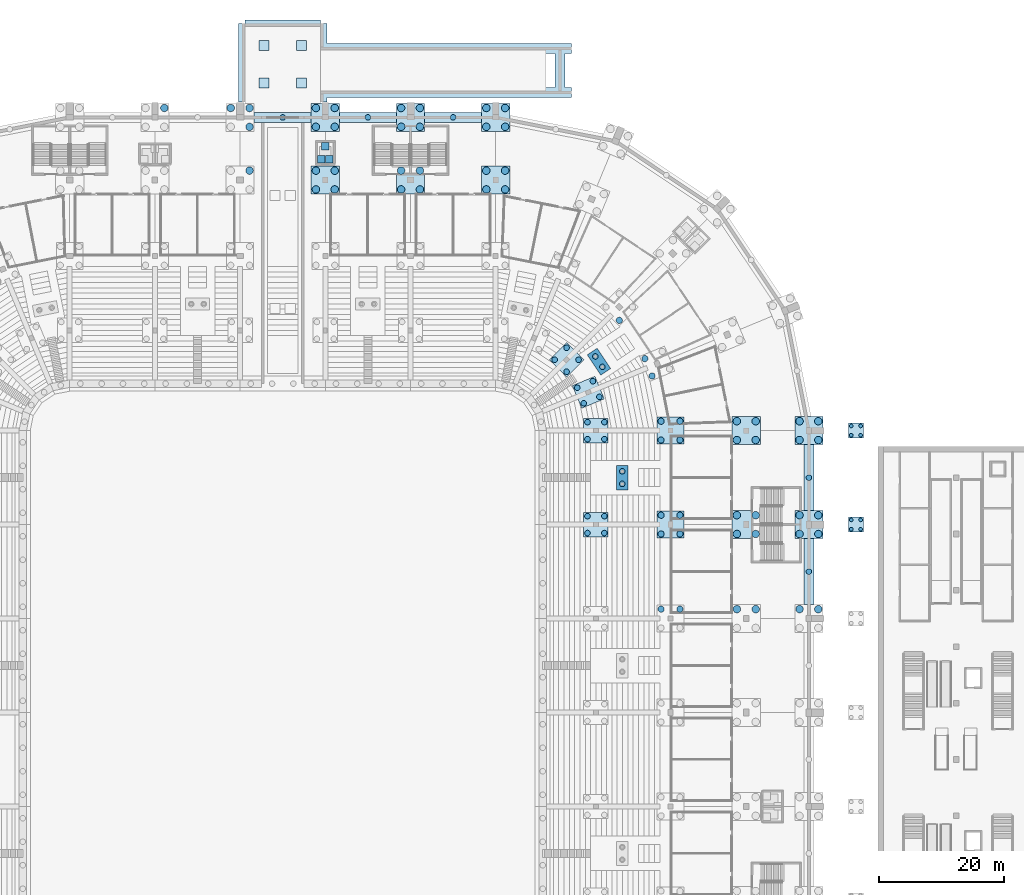
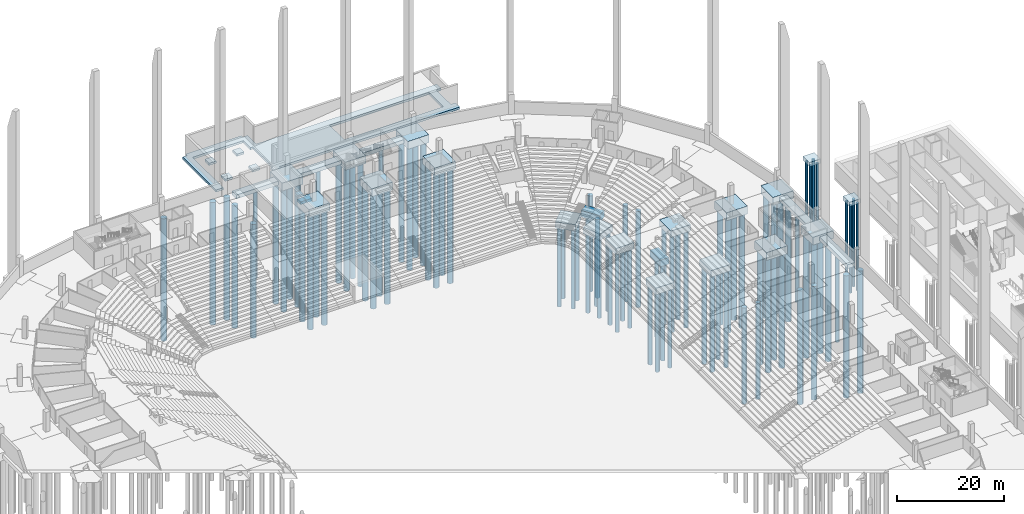
# One storey, part 8 of 115: 95 piles, 33 footings.
"""IFC4 building model written with IfcOpenShell, lengths in metres."""

from ifc_helpers import new_model, si_unit, direction, frame, origin, origin_2d, place, context, subcontext, project, spatial, polyline, rectangle, circle, outline, extrude, material, layer, layer_set, material_profile, profile_set, type_object, element, save


model = new_model("IFC4")

# Units and contexts
model_context = context("Model", 3, precision=1e-05, world=origin(), true_north=direction((0.0, 1.0)))
body_context = subcontext(model_context, "Body", "Model", "MODEL_VIEW")
ifc_project = project(units=[si_unit("LENGTHUNIT", "METRE"), si_unit("AREAUNIT", "SQUARE_METRE"), si_unit("VOLUMEUNIT", "CUBIC_METRE"), si_unit("PLANEANGLEUNIT", "RADIAN"), si_unit("MASSUNIT", "GRAM", prefix="KILO")], contexts=[model_context])

# Site, building, storey
site_placement = place(None, origin())
site = spatial("IfcSite", under=ifc_project, at=site_placement, CompositionType="ELEMENT")
building_placement = place(site_placement, origin())
building = spatial("IfcBuilding", under=site, at=building_placement, Name="Ogive Plaza Stadium", CompositionType="ELEMENT")
storey_placement = place(building_placement, frame((0.0, 0.0, -4.5)))
storey = spatial("IfcBuildingStorey", under=building, at=storey_placement, Name="B1", CompositionType="ELEMENT", Elevation=-4.5)

# Piles
ifc_material_1 = material(Name="Concrete C40/50", Category="concrete")
ifc_material_profile_1 = material_profile(ifc_material_1, circle(Radius=0.5, at=origin_2d()), Name="RC D1000")
ifc_profile_set_1 = profile_set([ifc_material_profile_1], Name="Concrete C40/50")
pile_type_1 = type_object("IfcPileType", Name="Bored pile D1000", PredefinedType="BORED", material=ifc_profile_set_1)
for number, where, z_axis, x_axis, name in (
    (1, (60.39990234375, 51.0, -1.5), (0.0, 0.0, -1.0), (1.0, 0.0, 0.0), "Bored pile F3:R01 1"),
    (2, (60.39990234375, 54.0, -1.5), (0.0, 0.0, -1.0), (1.0, 0.0, 0.0), "Bored pile F3:R01 2"),
    (3, (63.39990234375, 51.0, -1.5), (0.0, 0.0, -1.0), (1.0, 0.0, 0.0), "Bored pile F3:R01 3"),
    (4, (63.39990234375, 54.0, -1.5), (0.0, 0.0, -1.0), (1.0, 0.0, 0.0), "Bored pile F3:R01 4"),
    (5, (60.39990234375, 36.0, -1.5), (0.0, 0.0, -1.0), (1.0, 0.0, 0.0), "Bored pile F3:R02 1"),
    (6, (60.39990234375, 39.0, -1.5), (0.0, 0.0, -1.0), (1.0, 0.0, 0.0), "Bored pile F3:R02 2"),
    (7, (63.39990234375, 36.0, -1.5), (0.0, 0.0, -1.0), (1.0, 0.0, 0.0), "Bored pile F3:R02 3"),
    (8, (63.39990234375, 39.0, -1.5), (0.0, 0.0, -1.0), (1.0, 0.0, 0.0), "Bored pile F3:R02 4"),
    (9, (60.39990234375, 24.0, -1.5), (0.0, 0.0, -1.0), (1.0, 0.0, 0.0), "Bored pile F3:R03 2"),
    (10, (63.39990234375, 24.0, -1.5), (0.0, 0.0, -1.0), (1.0, 0.0, 0.0), "Bored pile F3:R03 4"),
    (11, (53.728271484375, 70.10693359375, -1.5), (0.0, 0.0, -1.0), (1.0, 0.0, 0.0), "Bored pile F3:R39 1"),
    (12, (58.96435546875, 61.217041015625, -1.5), (0.0, 0.0, -1.0), (1.0, 0.0, 0.0), "Bored pile F3:R40 1"),
    (13, (57.81640625, 63.98876953125, -1.5), (0.0, 0.0, -1.0), (1.0, 0.0, 0.0), "Bored pile F3:R40 2"),
):
    element("IfcPile", number, at=place(storey_placement, frame(where, z_axis=z_axis, x_axis=x_axis)), inside=storey, type_object=pile_type_1, Name=name, PredefinedType="BORED", context=body_context, shape_type="SweptSolid", body=[
        extrude(circle(Radius=0.5, at=origin_2d()), origin(), (0.0, 0.0, 1.0), 22.0),
    ])
ifc_material_2 = material(Name="Concrete C40/50", Category="concrete")
ifc_material_profile_2 = material_profile(ifc_material_2, circle(Radius=0.60009765625, at=origin_2d()), Name="RC D1200")
ifc_profile_set_2 = profile_set([ifc_material_profile_2], Name="Concrete C40/50")
pile_type_2 = type_object("IfcPileType", Name="Bored pile D1200", PredefinedType="BORED", material=ifc_profile_set_2)
for number, where, z_axis, x_axis, name in (
    (14, (72.5, 51.0, -1.800048828125), (0.0, 0.0, -1.0), (1.0, 0.0, 0.0), "Bored pile F4:R01 1"),
    (15, (72.5, 54.0, -1.800048828125), (0.0, 0.0, -1.0), (1.0, 0.0, 0.0), "Bored pile F4:R01 2"),
    (16, (75.5, 51.0, -1.800048828125), (0.0, 0.0, -1.0), (1.0, 0.0, 0.0), "Bored pile F4:R01 3"),
    (17, (75.5, 54.0, -1.800048828125), (0.0, 0.0, -1.0), (1.0, 0.0, 0.0), "Bored pile F4:R01 4"),
):
    element("IfcPile", number, at=place(storey_placement, frame(where, z_axis=z_axis, x_axis=x_axis)), inside=storey, type_object=pile_type_2, Name=name, PredefinedType="BORED", context=body_context, shape_type="SweptSolid", body=[
        extrude(circle(Radius=0.60009765625, at=origin_2d()), origin(), (0.0, 0.0, 1.0), 26.0),
    ])
for number, where, z_axis, x_axis, name in (
    (18, (82.5, 51.0, -1.800048828125), (0.0, 0.0, -1.0), (1.0, 0.0, 0.0), "Bored pile F5:R01 1"),
    (19, (82.5, 54.0, -1.800048828125), (0.0, 0.0, -1.0), (1.0, 0.0, 0.0), "Bored pile F5:R01 2"),
    (20, (85.5, 51.0, -1.800048828125), (0.0, 0.0, -1.0), (1.0, 0.0, 0.0), "Bored pile F5:R01 3"),
    (21, (85.5, 54.0, -1.800048828125), (0.0, 0.0, -1.0), (1.0, 0.0, 0.0), "Bored pile F5:R01 4"),
):
    element("IfcPile", number, at=place(storey_placement, frame(where, z_axis=z_axis, x_axis=x_axis)), inside=storey, type_object=pile_type_2, Name=name, PredefinedType="BORED", context=body_context, shape_type="SweptSolid", body=[
        extrude(circle(Radius=0.60009765625, at=origin_2d()), origin(), (0.0, 0.0, 1.0), 28.0),
    ])
for number, where, z_axis, x_axis, name in (
    (22, (72.5, 36.0, -1.800048828125), (0.0, 0.0, -1.0), (1.0, 0.0, 0.0), "Bored pile F4:R02 1"),
    (23, (72.5, 39.0, -1.800048828125), (0.0, 0.0, -1.0), (1.0, 0.0, 0.0), "Bored pile F4:R02 2"),
    (24, (75.5, 36.0, -1.800048828125), (0.0, 0.0, -1.0), (1.0, 0.0, 0.0), "Bored pile F4:R02 3"),
    (25, (75.5, 39.0, -1.800048828125), (0.0, 0.0, -1.0), (1.0, 0.0, 0.0), "Bored pile F4:R02 4"),
):
    element("IfcPile", number, at=place(storey_placement, frame(where, z_axis=z_axis, x_axis=x_axis)), inside=storey, type_object=pile_type_2, Name=name, PredefinedType="BORED", context=body_context, shape_type="SweptSolid", body=[
        extrude(circle(Radius=0.60009765625, at=origin_2d()), origin(), (0.0, 0.0, 1.0), 26.0),
    ])
for number, where, z_axis, x_axis, name in (
    (26, (82.5, 36.0, -1.800048828125), (0.0, 0.0, -1.0), (1.0, 0.0, 0.0), "Bored pile F5:R02 1"),
    (27, (82.5, 39.0, -1.800048828125), (0.0, 0.0, -1.0), (1.0, 0.0, 0.0), "Bored pile F5:R02 2"),
    (28, (85.5, 36.0, -1.800048828125), (0.0, 0.0, -1.0), (1.0, 0.0, 0.0), "Bored pile F5:R02 3"),
    (29, (85.5, 39.0, -1.800048828125), (0.0, 0.0, -1.0), (1.0, 0.0, 0.0), "Bored pile F5:R02 4"),
):
    element("IfcPile", number, at=place(storey_placement, frame(where, z_axis=z_axis, x_axis=x_axis)), inside=storey, type_object=pile_type_2, Name=name, PredefinedType="BORED", context=body_context, shape_type="SweptSolid", body=[
        extrude(circle(Radius=0.60009765625, at=origin_2d()), origin(), (0.0, 0.0, 1.0), 28.0),
    ])
for number, where, z_axis, x_axis, name in (
    (30, (72.5, 24.0, -1.800048828125), (0.0, 0.0, -1.0), (1.0, 0.0, 0.0), "Bored pile F4:R03 2"),
    (31, (75.5, 24.0, -1.800048828125), (0.0, 0.0, -1.0), (1.0, 0.0, 0.0), "Bored pile F4:R03 4"),
):
    element("IfcPile", number, at=place(storey_placement, frame(where, z_axis=z_axis, x_axis=x_axis)), inside=storey, type_object=pile_type_2, Name=name, PredefinedType="BORED", context=body_context, shape_type="SweptSolid", body=[
        extrude(circle(Radius=0.60009765625, at=origin_2d()), origin(), (0.0, 0.0, 1.0), 26.0),
    ])
for number, where, z_axis, x_axis, name in (
    (32, (82.5, 24.0, -1.800048828125), (0.0, 0.0, -1.0), (1.0, 0.0, 0.0), "Bored pile F5:R03 2"),
    (33, (85.5, 24.0, -1.800048828125), (0.0, 0.0, -1.0), (1.0, 0.0, 0.0), "Bored pile F5:R03 4"),
    (34, (-18.89990234375, 104.0, -1.800048828125), (0.0, 0.0, -1.0), (1.0, 0.0, 0.0), "Bored pile F5:R33 3"),
):
    element("IfcPile", number, at=place(storey_placement, frame(where, z_axis=z_axis, x_axis=x_axis)), inside=storey, type_object=pile_type_2, Name=name, PredefinedType="BORED", context=body_context, shape_type="SweptSolid", body=[
        extrude(circle(Radius=0.60009765625, at=origin_2d()), origin(), (0.0, 0.0, 1.0), 28.0),
    ])
pile_placement = place(storey_placement, frame((-5.300048828125, 94.0, -1.800048828125), z_axis=(0.0, 0.0, -1.0), x_axis=(1.0, 0.0, 0.0)))
element("IfcPile", 35, at=pile_placement, inside=storey, type_object=pile_type_2, Name="Bored pile F4:R34 3", PredefinedType="BORED", context=body_context, shape_type="SweptSolid", body=[
    extrude(circle(Radius=0.60009765625, at=origin_2d()), origin(), (0.0, 0.0, 1.0), 26.0),
])
for number, where, z_axis, x_axis, name in (
    (36, (-5.300048828125, 101.0, -1.800048828125), (0.0, 0.0, -1.0), (1.0, 0.0, 0.0), "Bored pile F5:R34 1"),
    (37, (-5.300048828125, 104.0, -1.800048828125), (0.0, 0.0, -1.0), (1.0, 0.0, 0.0), "Bored pile F5:R34 3"),
    (38, (-8.300048828125, 104.0, -1.800048828125), (0.0, 0.0, -1.0), (1.0, 0.0, 0.0), "Bored pile F5:R34 4"),
):
    element("IfcPile", number, at=place(storey_placement, frame(where, z_axis=z_axis, x_axis=x_axis)), inside=storey, type_object=pile_type_2, Name=name, PredefinedType="BORED", context=body_context, shape_type="SweptSolid", body=[
        extrude(circle(Radius=0.60009765625, at=origin_2d()), origin(), (0.0, 0.0, 1.0), 28.0),
    ])
for number, where, z_axis, x_axis, name in (
    (39, (8.300048828125, 91.0, -1.800048828125), (0.0, 0.0, -1.0), (1.0, 0.0, 0.0), "Bored pile F4:R35 1"),
    (40, (5.300048828125, 91.0, -1.800048828125), (0.0, 0.0, -1.0), (1.0, 0.0, 0.0), "Bored pile F4:R35 2"),
    (41, (8.300048828125, 94.0, -1.800048828125), (0.0, 0.0, -1.0), (1.0, 0.0, 0.0), "Bored pile F4:R35 3"),
    (42, (5.300048828125, 94.0, -1.800048828125), (0.0, 0.0, -1.0), (1.0, 0.0, 0.0), "Bored pile F4:R35 4"),
):
    element("IfcPile", number, at=place(storey_placement, frame(where, z_axis=z_axis, x_axis=x_axis)), inside=storey, type_object=pile_type_2, Name=name, PredefinedType="BORED", context=body_context, shape_type="SweptSolid", body=[
        extrude(circle(Radius=0.60009765625, at=origin_2d()), origin(), (0.0, 0.0, 1.0), 26.0),
    ])
for number, where, z_axis, x_axis, name in (
    (43, (8.300048828125, 101.0, -1.800048828125), (0.0, 0.0, -1.0), (1.0, 0.0, 0.0), "Bored pile F5:R35 1"),
    (44, (5.300048828125, 101.0, -1.800048828125), (0.0, 0.0, -1.0), (1.0, 0.0, 0.0), "Bored pile F5:R35 2"),
    (45, (8.300048828125, 104.0, -1.800048828125), (0.0, 0.0, -1.0), (1.0, 0.0, 0.0), "Bored pile F5:R35 3"),
    (46, (5.300048828125, 104.0, -1.800048828125), (0.0, 0.0, -1.0), (1.0, 0.0, 0.0), "Bored pile F5:R35 4"),
):
    element("IfcPile", number, at=place(storey_placement, frame(where, z_axis=z_axis, x_axis=x_axis)), inside=storey, type_object=pile_type_2, Name=name, PredefinedType="BORED", context=body_context, shape_type="SweptSolid", body=[
        extrude(circle(Radius=0.60009765625, at=origin_2d()), origin(), (0.0, 0.0, 1.0), 28.0),
    ])
for number, where, z_axis, x_axis, name in (
    (47, (21.89990234375, 91.0, -1.800048828125), (0.0, 0.0, -1.0), (1.0, 0.0, 0.0), "Bored pile F4:R36 1"),
    (48, (18.89990234375, 91.0, -1.800048828125), (0.0, 0.0, -1.0), (1.0, 0.0, 0.0), "Bored pile F4:R36 2"),
    (49, (21.89990234375, 94.0, -1.800048828125), (0.0, 0.0, -1.0), (1.0, 0.0, 0.0), "Bored pile F4:R36 3"),
    (50, (18.89990234375, 94.0, -1.800048828125), (0.0, 0.0, -1.0), (1.0, 0.0, 0.0), "Bored pile F4:R36 4"),
):
    element("IfcPile", number, at=place(storey_placement, frame(where, z_axis=z_axis, x_axis=x_axis)), inside=storey, type_object=pile_type_2, Name=name, PredefinedType="BORED", context=body_context, shape_type="SweptSolid", body=[
        extrude(circle(Radius=0.60009765625, at=origin_2d()), origin(), (0.0, 0.0, 1.0), 26.0),
    ])
for number, where, z_axis, x_axis, name in (
    (51, (21.89990234375, 101.0, -1.800048828125), (0.0, 0.0, -1.0), (1.0, 0.0, 0.0), "Bored pile F5:R36 1"),
    (52, (18.89990234375, 101.0, -1.800048828125), (0.0, 0.0, -1.0), (1.0, 0.0, 0.0), "Bored pile F5:R36 2"),
    (53, (21.89990234375, 104.0, -1.800048828125), (0.0, 0.0, -1.0), (1.0, 0.0, 0.0), "Bored pile F5:R36 3"),
    (54, (18.89990234375, 104.0, -1.800048828125), (0.0, 0.0, -1.0), (1.0, 0.0, 0.0), "Bored pile F5:R36 4"),
):
    element("IfcPile", number, at=place(storey_placement, frame(where, z_axis=z_axis, x_axis=x_axis)), inside=storey, type_object=pile_type_2, Name=name, PredefinedType="BORED", context=body_context, shape_type="SweptSolid", body=[
        extrude(circle(Radius=0.60009765625, at=origin_2d()), origin(), (0.0, 0.0, 1.0), 28.0),
    ])
for number, where, z_axis, x_axis, name in (
    (55, (35.5, 91.0, -1.800048828125), (0.0, 0.0, -1.0), (1.0, 0.0, 0.0), "Bored pile F4:R37 1"),
    (56, (32.5, 91.0, -1.800048828125), (0.0, 0.0, -1.0), (1.0, 0.0, 0.0), "Bored pile F4:R37 2"),
    (57, (35.5, 94.0, -1.800048828125), (0.0, 0.0, -1.0), (1.0, 0.0, 0.0), "Bored pile F4:R37 3"),
    (58, (32.5, 94.0, -1.800048828125), (0.0, 0.0, -1.0), (1.0, 0.0, 0.0), "Bored pile F4:R37 4"),
):
    element("IfcPile", number, at=place(storey_placement, frame(where, z_axis=z_axis, x_axis=x_axis)), inside=storey, type_object=pile_type_2, Name=name, PredefinedType="BORED", context=body_context, shape_type="SweptSolid", body=[
        extrude(circle(Radius=0.60009765625, at=origin_2d()), origin(), (0.0, 0.0, 1.0), 26.0),
    ])
for number, where, z_axis, x_axis, name in (
    (59, (35.5, 101.0, -1.800048828125), (0.0, 0.0, -1.0), (1.0, 0.0, 0.0), "Bored pile F5:R37 1"),
    (60, (32.5, 101.0, -1.800048828125), (0.0, 0.0, -1.0), (1.0, 0.0, 0.0), "Bored pile F5:R37 2"),
    (61, (35.5, 104.0, -1.800048828125), (0.0, 0.0, -1.0), (1.0, 0.0, 0.0), "Bored pile F5:R37 3"),
    (62, (32.5, 104.0, -1.800048828125), (0.0, 0.0, -1.0), (1.0, 0.0, 0.0), "Bored pile F5:R37 4"),
):
    element("IfcPile", number, at=place(storey_placement, frame(where, z_axis=z_axis, x_axis=x_axis)), inside=storey, type_object=pile_type_2, Name=name, PredefinedType="BORED", context=body_context, shape_type="SweptSolid", body=[
        extrude(circle(Radius=0.60009765625, at=origin_2d()), origin(), (0.0, 0.0, 1.0), 28.0),
    ])
ifc_material_3 = material(Name="Concrete C40/50", Category="concrete")
ifc_material_profile_3 = material_profile(ifc_material_3, circle(Radius=0.300048828125, at=origin_2d()), Name="RC D600")
ifc_profile_set_3 = profile_set([ifc_material_profile_3], Name="Concrete C40/50")
pile_type_3 = type_object("IfcPileType", Name="Bored pile D600", PredefinedType="BORED", material=ifc_profile_set_3)
for number, where, z_axis, x_axis, name in (
    (63, (90.75, 51.75, 3.3798828125), (0.0, 0.0, -1.0), (1.0, 0.0, 0.0), "Bored pile colonnade 01 1"),
    (64, (90.75, 53.25, 3.3798828125), (0.0, 0.0, -1.0), (1.0, 0.0, 0.0), "Bored pile colonnade 01 2"),
    (65, (92.25, 51.75, 3.3798828125), (0.0, 0.0, -1.0), (1.0, 0.0, 0.0), "Bored pile colonnade 01 3"),
    (66, (92.25, 53.25, 3.3798828125), (0.0, 0.0, -1.0), (1.0, 0.0, 0.0), "Bored pile colonnade 01 4"),
    (67, (90.75, 36.75, 3.3798828125), (0.0, 0.0, -1.0), (1.0, 0.0, 0.0), "Bored pile colonnade 02 1"),
    (68, (90.75, 38.25, 3.3798828125), (0.0, 0.0, -1.0), (1.0, 0.0, 0.0), "Bored pile colonnade 02 2"),
    (69, (92.25, 36.75, 3.3798828125), (0.0, 0.0, -1.0), (1.0, 0.0, 0.0), "Bored pile colonnade 02 3"),
    (70, (92.25, 38.25, 3.3798828125), (0.0, 0.0, -1.0), (1.0, 0.0, 0.0), "Bored pile colonnade 02 4"),
):
    element("IfcPile", number, at=place(storey_placement, frame(where, z_axis=z_axis, x_axis=x_axis)), inside=storey, type_object=pile_type_3, Name=name, PredefinedType="BORED", context=body_context, shape_type="SweptSolid", body=[
        extrude(circle(Radius=0.300048828125, at=origin_2d()), origin(), (0.0, 0.0, 1.0), 20.0),
    ])
ifc_material_4 = material(Name="Concrete C40/50", Category="concrete")
ifc_material_profile_4 = material_profile(ifc_material_4, circle(Radius=0.449951171875, at=origin_2d()), Name="RC D900")
ifc_profile_set_4 = profile_set([ifc_material_profile_4], Name="Concrete C40/50")
pile_type_4 = type_object("IfcPileType", Name="Bored pile D900", PredefinedType="BORED", material=ifc_profile_set_4)
for number, where, z_axis, x_axis, name in (
    (71, (48.64990234375, 51.14990234375, -1.5), (0.0, 0.0, -1.0), (1.0, 0.0, 0.0), "Bored pile F1:R01 1"),
    (72, (48.64990234375, 53.85009765625, -1.5), (0.0, 0.0, -1.0), (1.0, 0.0, 0.0), "Bored pile F1:R01 2"),
    (73, (51.35009765625, 51.14990234375, -1.5), (0.0, 0.0, -1.0), (1.0, 0.0, 0.0), "Bored pile F1:R01 3"),
    (74, (51.35009765625, 53.85009765625, -1.5), (0.0, 0.0, -1.0), (1.0, 0.0, 0.0), "Bored pile F1:R01 4"),
    (75, (48.64990234375, 36.14990234375, -1.5), (0.0, 0.0, -1.0), (1.0, 0.0, 0.0), "Bored pile F1:R02 1"),
    (76, (48.64990234375, 38.85009765625, -1.5), (0.0, 0.0, -1.0), (1.0, 0.0, 0.0), "Bored pile F1:R02 2"),
    (77, (51.35009765625, 36.14990234375, -1.5), (0.0, 0.0, -1.0), (1.0, 0.0, 0.0), "Bored pile F1:R02 3"),
    (78, (51.35009765625, 38.85009765625, -1.5), (0.0, 0.0, -1.0), (1.0, 0.0, 0.0), "Bored pile F1:R02 4"),
    (79, (45.313720703125, 61.904541015625, -1.5), (0.0, 0.0, -1.0), (1.0, 0.0, 0.0), "Bored pile F1:R39 1"),
    (80, (43.404541015625, 63.813720703125, -1.5), (0.0, 0.0, -1.0), (1.0, 0.0, 0.0), "Bored pile F1:R39 2"),
    (81, (47.222900390625, 63.813720703125, -1.5), (0.0, 0.0, -1.0), (1.0, 0.0, 0.0), "Bored pile F1:R39 3"),
    (82, (45.313720703125, 65.722900390625, -1.5), (0.0, 0.0, -1.0), (1.0, 0.0, 0.0), "Bored pile F1:R39 4"),
    (83, (48.051513671875, 56.859130859375, -1.5), (0.0, 0.0, -1.0), (1.0, 0.0, 0.0), "Bored pile F1:R40 1"),
    (84, (47.018310546875, 59.353515625, -1.5), (0.0, 0.0, -1.0), (1.0, 0.0, 0.0), "Bored pile F1:R40 2"),
    (85, (50.5458984375, 57.892333984375, -1.5), (0.0, 0.0, -1.0), (1.0, 0.0, 0.0), "Bored pile F1:R40 3"),
    (86, (49.5126953125, 60.38671875, -1.5), (0.0, 0.0, -1.0), (1.0, 0.0, 0.0), "Bored pile F1:R40 4"),
):
    element("IfcPile", number, at=place(storey_placement, frame(where, z_axis=z_axis, x_axis=x_axis)), inside=storey, type_object=pile_type_4, Name=name, PredefinedType="BORED", context=body_context, shape_type="SweptSolid", body=[
        extrude(circle(Radius=0.449951171875, at=origin_2d()), origin(), (0.0, 0.0, 1.0), 18.0),
    ])
for number, where, z_axis, x_axis, name in (
    (87, (84.0, 45.0, -1.300048828125), (0.0, 0.0, -1.0), (1.0, 0.0, 0.0), "Bored pile RET:B01 1"),
    (88, (84.0, 30.0, -1.300048828125), (0.0, 0.0, -1.0), (1.0, 0.0, 0.0), "Bored pile RET:B02 1"),
    (89, (0.0, 102.5, -1.300048828125), (0.0, 0.0, -1.0), (1.0, 0.0, 0.0), "Bored pile RET:B34 1"),
    (90, (13.60009765625, 102.5, -1.300048828125), (0.0, 0.0, -1.0), (1.0, 0.0, 0.0), "Bored pile RET:B35 1"),
    (91, (27.199951171875, 102.5, -1.300048828125), (0.0, 0.0, -1.0), (1.0, 0.0, 0.0), "Bored pile RET:B36 1"),
):
    element("IfcPile", number, at=place(storey_placement, frame(where, z_axis=z_axis, x_axis=x_axis)), inside=storey, type_object=pile_type_4, Name=name, PredefinedType="BORED", context=body_context, shape_type="SweptSolid", body=[
        extrude(circle(Radius=0.449951171875, at=origin_2d()), origin(), (0.0, 0.0, 1.0), 20.0),
    ])
for number, where, z_axis, x_axis, name in (
    (92, (54.199951171875, 44.0, -1.5), (0.0, 0.0, -1.0), (1.0, 0.0, 0.0), "Bored pile F1V:B01 1"),
    (93, (54.199951171875, 46.0, -1.5), (0.0, 0.0, -1.0), (1.0, 0.0, 0.0), "Bored pile F1V:B01 2"),
    (94, (51.028564453125, 62.67529296875, -1.5), (0.0, 0.0, -1.0), (1.0, 0.0, 0.0), "Bored pile F1V:B39 1"),
    (95, (49.91748046875, 64.33837890625, -1.5), (0.0, 0.0, -1.0), (1.0, 0.0, 0.0), "Bored pile F1V:B39 2"),
):
    element("IfcPile", number, at=place(storey_placement, frame(where, z_axis=z_axis, x_axis=x_axis)), inside=storey, type_object=pile_type_4, Name=name, PredefinedType="BORED", context=body_context, shape_type="SweptSolid", body=[
        extrude(circle(Radius=0.449951171875, at=origin_2d()), origin(), (0.0, 0.0, 1.0), 18.0),
    ])

# Footings
ifc_material_5 = material(Name="Concrete C40/50", Category="concrete")
ifc_layer_1 = layer(ifc_material_5, 1.0)
ifc_layer_set_1 = layer_set([ifc_layer_1], Name="Concrete C40/50")
footing_type_1 = type_object("IfcFootingType", Name="Colonnade pile cap 2400x1000", PredefinedType="PILE_CAP", material=ifc_layer_set_1)
for number, where, z_axis, x_axis, name in (
    (96, (91.5, 52.5, 3.3798828125), (0.0, 0.0, 1.0), (1.0, 0.0, 0.0), "Colonnade pile cap R01"),
    (97, (91.5, 37.5, 3.3798828125), (0.0, 0.0, 1.0), (1.0, 0.0, 0.0), "Colonnade pile cap R02"),
):
    element("IfcFooting", number, at=place(storey_placement, frame(where, z_axis=z_axis, x_axis=x_axis)), inside=storey, type_object=footing_type_1, Name=name, PredefinedType="PILE_CAP", context=body_context, shape_type="SweptSolid", body=[
        extrude(rectangle(XDim=2.39990234375, YDim=2.39990234375, at=origin_2d()), origin(), (0.0, 0.0, 1.0), 1.0),
    ])
ifc_material_6 = material(Name="Concrete C40/50", Category="concrete")
ifc_layer_2 = layer(ifc_material_6, 0.60009765625)
ifc_layer_set_2 = layer_set([ifc_layer_2], Name="Concrete C40/50")
footing_type_2 = type_object("IfcFootingType", Name="Lift pit pad 1200x1200", PredefinedType="PAD_FOOTING", material=ifc_layer_set_2)
for number, where, z_axis, x_axis, name in (
    (98, (7.449951171875, 95.800048828125, -2.2099609375), (0.0, 0.0, 1.0), (0.0, 1.0, 0.0), "Lift pit pad LS35"),
    (99, (6.14990234375, 95.800048828125, -2.2099609375), (0.0, 0.0, 1.0), (0.0, 1.0, 0.0), "Lift pit pad LS35"),
    (100, (6.800048828125, 97.89990234375, -2.2099609375), (0.0, 0.0, 1.0), (0.0, 1.0, 0.0), "Lift pit pad LS35"),
):
    element("IfcFooting", number, at=place(storey_placement, frame(where, z_axis=z_axis, x_axis=x_axis)), inside=storey, type_object=footing_type_2, Name=name, PredefinedType="PAD_FOOTING", context=body_context, shape_type="SweptSolid", body=[
        extrude(rectangle(XDim=1.199951171875, YDim=1.199951171875, at=origin_2d()), origin(), (0.0, 0.0, 1.0), 0.60009765625),
    ])
ifc_material_7 = material(Name="Concrete C40/50", Category="concrete")
ifc_layer_3 = layer(ifc_material_7, 1.5)
ifc_layer_set_3 = layer_set([ifc_layer_3], Name="Concrete C40/50")
footing_type_3 = type_object("IfcFootingType", Name="Pile cap F1 3900x1500", PredefinedType="PILE_CAP", material=ifc_layer_set_3)
for number, where, z_axis, x_axis, name in (
    (101, (50.0, 52.5, -1.5), (0.0, 0.0, 1.0), (1.0, 0.0, 0.0), "Pile cap F1 R01"),
    (102, (50.0, 37.5, -1.5), (0.0, 0.0, 1.0), (1.0, 0.0, 0.0), "Pile cap F1 R02"),
    (103, (45.313720703125, 63.813720703125, -1.5), (0.0, 0.0, 1.0), (0.707106781187, 0.707106781187, 0.0), "Pile cap F1 R39"),
    (104, (48.781982421875, 58.623046875, -1.5), (0.0, 0.0, 1.0), (0.923879532511, 0.382683432365, 0.0), "Pile cap F1 R40"),
):
    element("IfcFooting", number, at=place(storey_placement, frame(where, z_axis=z_axis, x_axis=x_axis)), inside=storey, type_object=footing_type_3, Name=name, PredefinedType="PILE_CAP", context=body_context, shape_type="SweptSolid", body=[
        extrude(rectangle(XDim=3.89990234375, YDim=3.89990234375, at=origin_2d()), origin(), (0.0, 0.0, 1.0), 1.5),
    ])
ifc_material_8 = material(Name="Concrete C40/50", Category="concrete")
ifc_layer_4 = layer(ifc_material_8, 1.5)
ifc_layer_set_4 = layer_set([ifc_layer_4], Name="Concrete C40/50")
footing_type_4 = type_object("IfcFootingType", Name="Pile cap F1V 1900x3900", PredefinedType="PILE_CAP", material=ifc_layer_set_4)
for number, where, z_axis, x_axis, name in (
    (105, (54.199951171875, 45.0, -1.5), (0.0, 0.0, 1.0), (1.0, 0.0, 0.0), "Pile cap F1V B01"),
    (106, (50.472900390625, 63.5068359375, -1.5), (0.0, 0.0, 1.0), (0.831469612303, 0.55557023302, 0.0), "Pile cap F1V B39"),
):
    element("IfcFooting", number, at=place(storey_placement, frame(where, z_axis=z_axis, x_axis=x_axis)), inside=storey, type_object=footing_type_4, Name=name, PredefinedType="PILE_CAP", context=body_context, shape_type="SweptSolid", body=[
        extrude(rectangle(XDim=1.89990234375, YDim=3.89990234375, at=origin_2d()), origin(), (0.0, 0.0, 1.0), 1.5),
    ])
ifc_material_9 = material(Name="Concrete C40/50", Category="concrete")
ifc_layer_5 = layer(ifc_material_9, 1.5)
ifc_layer_set_5 = layer_set([ifc_layer_5], Name="Concrete C40/50")
footing_type_5 = type_object("IfcFootingType", Name="Pile cap F3 4300x1500", PredefinedType="PILE_CAP", material=ifc_layer_set_5)
for number, where, z_axis, x_axis, name in (
    (107, (61.89990234375, 52.5, -1.5), (0.0, 0.0, 1.0), (1.0, 0.0, 0.0), "Pile cap F3 R01"),
    (108, (61.89990234375, 37.5, -1.5), (0.0, 0.0, 1.0), (1.0, 0.0, 0.0), "Pile cap F3 R02"),
):
    element("IfcFooting", number, at=place(storey_placement, frame(where, z_axis=z_axis, x_axis=x_axis)), inside=storey, type_object=footing_type_5, Name=name, PredefinedType="PILE_CAP", context=body_context, shape_type="SweptSolid", body=[
        extrude(rectangle(XDim=4.300048828125, YDim=4.300048828125, at=origin_2d()), origin(), (0.0, 0.0, 1.0), 1.5),
    ])
ifc_material_10 = material(Name="Concrete C40/50", Category="concrete")
ifc_layer_6 = layer(ifc_material_10, 1.800048828125)
ifc_layer_set_6 = layer_set([ifc_layer_6], Name="Concrete C40/50")
footing_type_6 = type_object("IfcFootingType", Name="Pile cap F4 4500x1800", PredefinedType="PILE_CAP", material=ifc_layer_set_6)
for number, where, z_axis, x_axis, name in (
    (109, (74.0, 52.5, -1.7998046875), (0.0, 0.0, 1.0), (1.0, 0.0, 0.0), "Pile cap F4 R01"),
    (110, (74.0, 37.5, -1.7998046875), (0.0, 0.0, 1.0), (1.0, 0.0, 0.0), "Pile cap F4 R02"),
    (111, (6.800048828125, 92.5, -1.7998046875), (0.0, 0.0, 1.0), (0.0, 1.0, 0.0), "Pile cap F4 R35"),
    (112, (20.39990234375, 92.5, -1.7998046875), (0.0, 0.0, 1.0), (0.0, 1.0, 0.0), "Pile cap F4 R36"),
    (113, (34.0, 92.5, -1.7998046875), (0.0, 0.0, 1.0), (0.0, 1.0, 0.0), "Pile cap F4 R37"),
):
    element("IfcFooting", number, at=place(storey_placement, frame(where, z_axis=z_axis, x_axis=x_axis)), inside=storey, type_object=footing_type_6, Name=name, PredefinedType="PILE_CAP", context=body_context, shape_type="SweptSolid", body=[
        extrude(rectangle(XDim=4.5, YDim=4.5, at=origin_2d()), origin(), (0.0, 0.0, 1.0), 1.800048828125),
    ])
ifc_material_11 = material(Name="Concrete C40/50", Category="concrete")
ifc_layer_7 = layer(ifc_material_11, 1.800048828125)
ifc_layer_set_7 = layer_set([ifc_layer_7], Name="Concrete C40/50")
footing_type_7 = type_object("IfcFootingType", Name="Pile cap F5 4500x1800", PredefinedType="PILE_CAP", material=ifc_layer_set_7)
for number, where, z_axis, x_axis, name in (
    (114, (84.0, 52.5, -1.7998046875), (0.0, 0.0, 1.0), (1.0, 0.0, 0.0), "Pile cap F5 R01"),
    (115, (84.0, 37.5, -1.7998046875), (0.0, 0.0, 1.0), (1.0, 0.0, 0.0), "Pile cap F5 R02"),
    (116, (6.800048828125, 102.5, -1.7998046875), (0.0, 0.0, 1.0), (0.0, 1.0, 0.0), "Pile cap F5 R35"),
    (117, (20.39990234375, 102.5, -1.7998046875), (0.0, 0.0, 1.0), (0.0, 1.0, 0.0), "Pile cap F5 R36"),
    (118, (34.0, 102.5, -1.7998046875), (0.0, 0.0, 1.0), (0.0, 1.0, 0.0), "Pile cap F5 R37"),
):
    element("IfcFooting", number, at=place(storey_placement, frame(where, z_axis=z_axis, x_axis=x_axis)), inside=storey, type_object=footing_type_7, Name=name, PredefinedType="PILE_CAP", context=body_context, shape_type="SweptSolid", body=[
        extrude(rectangle(XDim=4.5, YDim=4.5, at=origin_2d()), origin(), (0.0, 0.0, 1.0), 1.800048828125),
    ])
ifc_material_12 = material(Name="Concrete C35/45", Category="concrete")
footing_type_8 = type_object("IfcFootingType", Name="Retaining wall footing 1600", PredefinedType="STRIP_FOOTING", material=ifc_material_12)
footing_1_placement = place(storey_placement, frame((0.0, 0.0, -0.89990234375)))
element("IfcFooting", 119, at=footing_1_placement, inside=storey, type_object=footing_type_8, Name="Service yard and ramp footing", PredefinedType="STRIP_FOOTING", context=body_context, shape_type="SweptSolid", body=[
    extrude(outline(polyline([(6.0, 106.449951171875), (6.0, 107.300048828125), (6.0, 112.699951171875), (6.0, 113.550048828125), (6.0, 113.75), (5.449951171875, 113.75), (5.449951171875, 116.449951171875), (-5.449951171875, 116.449951171875), (-5.449951171875, 105.0), (-7.050048828125, 105.0), (-7.050048828125, 117.5), (-6.0, 117.5), (-6.0, 118.050048828125), (6.0, 118.050048828125), (6.0, 117.5), (7.050048828125, 117.5), (7.050048828125, 114.300048828125), (46.06005859375, 114.300048828125), (46.06005859375, 112.699951171875), (45.06005859375, 112.699951171875), (45.06005859375, 107.300048828125), (46.06005859375, 107.300048828125), (46.06005859375, 105.699951171875), (7.050048828125, 105.699951171875), (7.050048828125, 105.0), (5.449951171875, 105.0), (5.449951171875, 106.25), (6.0, 106.25), (6.0, 106.449951171875)]), holes=[polyline([(22.0, 107.300048828125), (43.4599609375, 107.300048828125), (43.4599609375, 112.699951171875), (22.0, 112.699951171875), (22.0, 107.300048828125)])]), origin(), (0.0, 0.0, 1.0), 0.5),
])
ifc_material_13 = material(Name="Concrete C40/50", Category="concrete")
ifc_layer_8 = layer(ifc_material_13, 0.89990234375)
ifc_layer_set_8 = layer_set([ifc_layer_8], Name="Concrete C40/50")
footing_type_9 = type_object("IfcFootingType", Name="Strip footing RET 900", PredefinedType="STRIP_FOOTING", material=ifc_layer_set_8)
footing_2_placement = place(storey_placement, frame((0.0, 0.0, -1.300048828125)))
element("IfcFooting", 120, at=footing_2_placement, inside=storey, type_object=footing_type_9, Name="Strip footing retaining wall B01", PredefinedType="STRIP_FOOTING", context=body_context, shape_type="SweptSolid", body=[
    extrude(outline(polyline([(83.199951171875, 39.75), (84.800048828125, 39.75), (84.800048828125, 50.25), (83.199951171875, 50.25), (83.199951171875, 39.75)])), origin(), (0.0, 0.0, 1.0), 0.900146484375),
])
footing_3_placement = place(storey_placement, frame((0.0, 0.0, -1.300048828125)))
element("IfcFooting", 121, at=footing_3_placement, inside=storey, type_object=footing_type_9, Name="Strip footing retaining wall B02", PredefinedType="STRIP_FOOTING", context=body_context, shape_type="SweptSolid", body=[
    extrude(outline(polyline([(83.199951171875, 24.75), (84.800048828125, 24.75), (84.800048828125, 35.25), (83.199951171875, 35.25), (83.199951171875, 24.75)])), origin(), (0.0, 0.0, 1.0), 0.900146484375),
])
footing_4_placement = place(storey_placement, frame((0.0, 0.0, -1.300048828125)))
element("IfcFooting", 122, at=footing_4_placement, inside=storey, type_object=footing_type_9, Name="Strip footing retaining wall B34", PredefinedType="STRIP_FOOTING", context=body_context, shape_type="SweptSolid", body=[
    extrude(outline(polyline([(4.550048828125, 101.699951171875), (4.550048828125, 103.300048828125), (-4.550048828125, 103.300048828125), (-4.550048828125, 101.699951171875), (4.550048828125, 101.699951171875)])), origin(), (0.0, 0.0, 1.0), 0.900146484375),
])
footing_5_placement = place(storey_placement, frame((0.0, 0.0, -1.300048828125)))
element("IfcFooting", 123, at=footing_5_placement, inside=storey, type_object=footing_type_9, Name="Strip footing retaining wall B35", PredefinedType="STRIP_FOOTING", context=body_context, shape_type="SweptSolid", body=[
    extrude(outline(polyline([(18.14990234375, 101.699951171875), (18.14990234375, 103.300048828125), (9.050048828125, 103.300048828125), (9.050048828125, 101.699951171875), (18.14990234375, 101.699951171875)])), origin(), (0.0, 0.0, 1.0), 0.900146484375),
])
footing_6_placement = place(storey_placement, frame((0.0, 0.0, -1.300048828125)))
element("IfcFooting", 124, at=footing_6_placement, inside=storey, type_object=footing_type_9, Name="Strip footing retaining wall B36", PredefinedType="STRIP_FOOTING", context=body_context, shape_type="SweptSolid", body=[
    extrude(outline(polyline([(31.75, 101.699951171875), (31.75, 103.300048828125), (22.64990234375, 103.300048828125), (22.64990234375, 101.699951171875), (31.75, 101.699951171875)])), origin(), (0.0, 0.0, 1.0), 0.900146484375),
])
ifc_material_14 = material(Name="Concrete C35/45", Category="concrete")
footing_type_10 = type_object("IfcFootingType", Name="Yard bearing pad 1600", PredefinedType="PAD_FOOTING", material=ifc_material_14)
footing_7_placement = place(storey_placement, frame((0.0, 0.0, -0.89990234375)))
element("IfcFooting", 125, at=footing_7_placement, inside=storey, type_object=footing_type_10, Name="Service yard bearing pad 1", PredefinedType="PAD_FOOTING", context=body_context, shape_type="SweptSolid", body=[
    extrude(outline(polyline([(-3.800048828125, 107.199951171875), (-2.199951171875, 107.199951171875), (-2.199951171875, 108.800048828125), (-3.800048828125, 108.800048828125), (-3.800048828125, 107.199951171875)])), origin(), (0.0, 0.0, 1.0), 0.5),
])
footing_8_placement = place(storey_placement, frame((0.0, 0.0, -0.89990234375)))
element("IfcFooting", 126, at=footing_8_placement, inside=storey, type_object=footing_type_10, Name="Service yard bearing pad 2", PredefinedType="PAD_FOOTING", context=body_context, shape_type="SweptSolid", body=[
    extrude(outline(polyline([(2.199951171875, 107.199951171875), (3.800048828125, 107.199951171875), (3.800048828125, 108.800048828125), (2.199951171875, 108.800048828125), (2.199951171875, 107.199951171875)])), origin(), (0.0, 0.0, 1.0), 0.5),
])
footing_9_placement = place(storey_placement, frame((0.0, 0.0, -0.89990234375)))
element("IfcFooting", 127, at=footing_9_placement, inside=storey, type_object=footing_type_10, Name="Service yard bearing pad 3", PredefinedType="PAD_FOOTING", context=body_context, shape_type="SweptSolid", body=[
    extrude(outline(polyline([(-3.800048828125, 113.199951171875), (-2.199951171875, 113.199951171875), (-2.199951171875, 114.800048828125), (-3.800048828125, 114.800048828125), (-3.800048828125, 113.199951171875)])), origin(), (0.0, 0.0, 1.0), 0.5),
])
footing_10_placement = place(storey_placement, frame((0.0, 0.0, -0.89990234375)))
element("IfcFooting", 128, at=footing_10_placement, inside=storey, type_object=footing_type_10, Name="Service yard bearing pad 4", PredefinedType="PAD_FOOTING", context=body_context, shape_type="SweptSolid", body=[
    extrude(outline(polyline([(2.199951171875, 113.199951171875), (3.800048828125, 113.199951171875), (3.800048828125, 114.800048828125), (2.199951171875, 114.800048828125), (2.199951171875, 113.199951171875)])), origin(), (0.0, 0.0, 1.0), 0.5),
])

save(model, "model.ifc")
